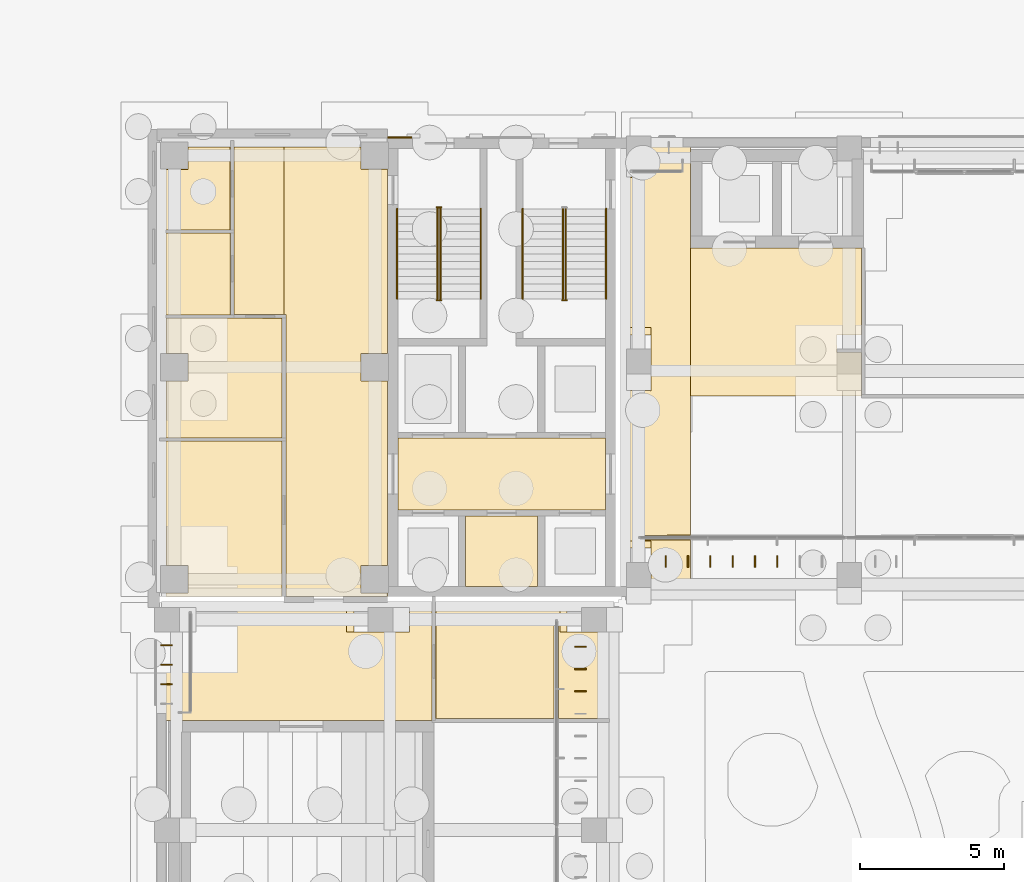
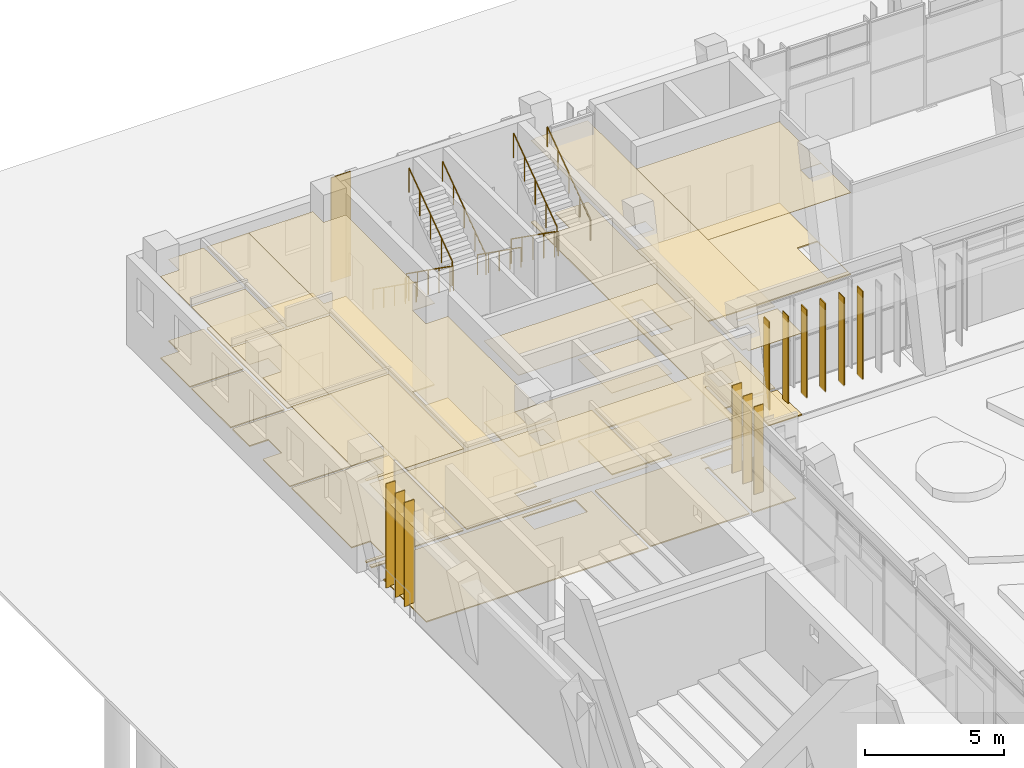
# One storey, part 131 of 144: 25 coverings, 12 shading devices, 11 railings.
"""IFC4 building model written with IfcOpenShell, lengths in metres."""

from ifc_helpers import new_model, si_unit, direction, frame, frame_2d, origin, origin_2d, place, context, subcontext, project, spatial, polyline, rectangle, circle, outline, extrude, material, layer, layer_set, type_object, element, save


model = new_model("IFC4")

# Units and contexts
model_context = context("Model", 3, precision=1e-05, world=origin(), true_north=direction((0.0, 1.0)))
body_context = subcontext(model_context, "Body", "Model", "MODEL_VIEW")
ifc_project = project(units=[si_unit("LENGTHUNIT", "METRE"), si_unit("AREAUNIT", "SQUARE_METRE"), si_unit("VOLUMEUNIT", "CUBIC_METRE"), si_unit("PLANEANGLEUNIT", "RADIAN"), si_unit("MASSUNIT", "GRAM", prefix="KILO")], contexts=[model_context])

# Site, building, storey
site_placement = place(None, origin())
site = spatial("IfcSite", under=ifc_project, at=site_placement, CompositionType="ELEMENT")
building_placement = place(site_placement, origin())
building = spatial("IfcBuilding", under=site, at=building_placement, Name="Lantern Court Media Centre", CompositionType="ELEMENT")
storey_placement = place(building_placement, origin())
storey = spatial("IfcBuildingStorey", under=building, at=storey_placement, Name="L00", CompositionType="ELEMENT", Elevation=0.0)

# Coverings
ifc_material_1 = material(Name="Carpet")
ifc_layer_1 = layer(ifc_material_1, 0.050048828125)
ifc_layer_set_1 = layer_set([ifc_layer_1], Name="Carpet")
covering_type_1 = type_object("IfcCoveringType", Name="Carpet floor finish", PredefinedType="FLOORING", material=ifc_layer_set_1)
covering_1_placement = place(storey_placement, origin())
element("IfcCovering", 1, at=covering_1_placement, inside=storey, type_object=covering_type_1, Name="Cinema Concessions floor finish", PredefinedType="FLOORING", context=body_context, shape_type="SweptSolid", body=[
    extrude(outline(polyline([(23.699951171875, 91.867431640625), (21.929931640625, 91.867431640625), (21.925048828125, 95.10498046875), (21.77001953125, 95.10009765625), (21.77001953125, 91.867431640625), (17.66748046875, 91.867431640625), (17.66748046875, 95.89990234375), (23.699951171875, 95.89990234375), (23.699951171875, 95.72998046875), (21.969970703125, 95.72509765625), (21.97265625, 94.87060546875), (23.699951171875, 94.8701171875), (23.699951171875, 91.867431640625)])), origin(), (0.0, 0.0, 1.0), 0.050048828125),
])
covering_2_placement = place(storey_placement, origin())
element("IfcCovering", 2, at=covering_2_placement, inside=storey, type_object=covering_type_1, Name="Production Reception floor finish", PredefinedType="FLOORING", context=body_context, shape_type="SweptSolid", body=[
    extrude(outline(polyline([(8.300048828125, 105.764892578125), (12.33251953125, 105.75244140625), (12.33251953125, 101.60791015625), (8.300048828125, 101.60791015625), (8.300048828125, 103.570068359375), (9.080078125, 103.574951171875), (9.078857421875, 104.528076171875), (8.300048828125, 104.530029296875), (8.300048828125, 105.764892578125)])), origin(), (0.0, 0.0, 1.0), 0.050048828125),
])
covering_3_placement = place(storey_placement, origin())
element("IfcCovering", 3, at=covering_3_placement, inside=storey, type_object=covering_type_1, Name="Media Training Room 04 floor finish", PredefinedType="FLOORING", context=body_context, shape_type="SweptSolid", body=[
    extrude(outline(polyline([(8.300048828125, 101.498046875), (12.33251953125, 101.498046875), (12.33251953125, 96.10009765625), (8.300048828125, 96.10009765625), (8.300048828125, 96.219970703125), (9.080078125, 96.22509765625), (9.078857421875, 97.17822265625), (8.300048828125, 97.179931640625), (8.300048828125, 101.498046875)])), origin(), (0.0, 0.0, 1.0), 0.050048828125),
])
covering_4_placement = place(storey_placement, origin())
element("IfcCovering", 4, at=covering_4_placement, inside=storey, type_object=covering_type_1, Name="WC Male floor finish", PredefinedType="FLOORING", context=body_context, shape_type="SweptSolid", body=[
    extrude(outline(polyline([(10.532470703125, 111.699951171875), (10.532470703125, 108.81494140625), (8.300048828125, 108.81494140625), (8.300048828125, 110.919921875), (9.07861328125, 110.92138671875), (9.080078125, 111.699951171875), (10.532470703125, 111.699951171875)])), origin(), (0.0, 0.0, 1.0), 0.050048828125),
])
covering_5_placement = place(storey_placement, origin())
element("IfcCovering", 5, at=covering_5_placement, inside=storey, type_object=covering_type_1, Name="WC Female floor finish", PredefinedType="FLOORING", context=body_context, shape_type="SweptSolid", body=[
    extrude(outline(polyline([(8.300048828125, 108.705078125), (10.532470703125, 108.705078125), (10.532470703125, 105.875), (8.300048828125, 105.875), (8.300048828125, 108.705078125)])), origin(), (0.0, 0.0, 1.0), 0.050048828125),
])
ifc_material_2 = material(Name="Ceramic tile")
ifc_layer_2 = layer(ifc_material_2, 0.050048828125)
ifc_layer_set_2 = layer_set([ifc_layer_2], Name="Ceramic tile")
covering_type_2 = type_object("IfcCoveringType", Name="Ceramic tile floor finish", PredefinedType="FLOORING", material=ifc_layer_set_2)
covering_6_placement = place(storey_placement, origin())
element("IfcCovering", 6, at=covering_6_placement, inside=storey, type_object=covering_type_2, Name="Accessible WC floor finish", PredefinedType="FLOORING", context=body_context, shape_type="SweptSolid", body=[
    extrude(outline(polyline([(18.705078125, 98.89501953125), (21.195068359375, 98.89501953125), (21.195068359375, 96.455078125), (18.705078125, 96.455078125), (18.705078125, 98.89501953125)])), origin(), (0.0, 0.0, 1.0), 0.050048828125),
])
ifc_material_3 = material(Name="Honed limestone cladding", Category="masonry")
ifc_layer_3 = layer(ifc_material_3, 0.050048828125)
ifc_layer_set_3 = layer_set([ifc_layer_3], Name="Honed limestone cladding")
covering_type_3 = type_object("IfcCoveringType", Name="Limestone cladding panel 50", PredefinedType="CLADDING", material=ifc_layer_set_3)
covering_7_placement = place(storey_placement, frame((16.0, 112.02490234375, 0.0), z_axis=(0.0, 0.0, 1.0), x_axis=(1.0, 0.0, 0.0)))
element("IfcCovering", 7, at=covering_7_placement, inside=storey, type_object=covering_type_3, Name="Limestone cladding NW stair core", PredefinedType="CLADDING", context=body_context, shape_type="SweptSolid", body=[
    extrude(rectangle(XDim=0.824951171875, YDim=0.050048828125, at=frame_2d((0.41259765625, 0.0))), origin(), (0.0, 0.0, 1.0), 4.580078125),
])

# Railings
ifc_material_4 = material(Name="Powder-coated steel", Category="steel")
railing_type_1 = type_object("IfcRailingType", Name="Stair guard 1100", PredefinedType="GUARDRAIL", material=ifc_material_4)
railing_1_placement = place(storey_placement, frame((17.72412109375, 109.550048828125, 0.1845703125)))
element("IfcRailing", 8, at=railing_1_placement, inside=storey, type_object=railing_type_1, Name="L00 ST-NWA stair guard 1", PredefinedType="GUARDRAIL", context=body_context, shape_type="SweptSolid", body=[
    extrude(circle(Radius=0.02392578125, at=origin_2d()), frame((0.0, 0.0, 1.076171875), z_axis=(0.0, -0.815376961211, 0.578930402662), x_axis=(1.0, 0.0, 0.0)), (0.0, 0.0, 1.0), 3.82666015625),
    extrude(circle(Radius=0.02099609375, at=origin_2d()), origin(), (0.0, 0.0, 1.0), 1.052001953125),
    extrude(circle(Radius=0.02099609375, at=origin_2d()), frame((0.0, -0.780029296875, 0.5537109375)), (0.0, 0.0, 1.0), 1.052001953125),
    extrude(circle(Radius=0.02099609375, at=origin_2d()), frame((0.0, -1.56005859375, 1.107666015625)), (0.0, 0.0, 1.0), 1.052001953125),
    extrude(circle(Radius=0.02099609375, at=origin_2d()), frame((0.0, -2.340087890625, 1.66162109375)), (0.0, 0.0, 1.0), 1.052001953125),
    extrude(circle(Radius=0.02099609375, at=origin_2d()), frame((0.0, -3.1201171875, 2.21533203125)), (0.0, 0.0, 1.0), 1.052001953125),
])
railing_2_placement = place(storey_placement, frame((17.699951171875, 106.3798828125, 2.39990234375)))
element("IfcRailing", 9, at=railing_2_placement, inside=storey, type_object=railing_type_1, Name="L00 ST-NWA stair guard 2", PredefinedType="GUARDRAIL", context=body_context, shape_type="SweptSolid", body=[
    extrude(circle(Radius=0.02392578125, at=origin_2d()), frame((0.0, 0.0, 1.076171875), z_axis=(1.0, 0.0, 0.0), x_axis=(0.0, 1.0, 0.0)), (0.0, 0.0, 1.0), 0.150146484375),
    extrude(circle(Radius=0.02099609375, at=origin_2d()), origin(), (0.0, 0.0, 1.0), 1.052001953125),
    extrude(circle(Radius=0.02099609375, at=origin_2d()), frame((0.150146484375, 0.0, 0.0)), (0.0, 0.0, 1.0), 1.052001953125),
])
railing_3_placement = place(storey_placement, frame((17.825927734375, 106.429931640625, 2.584716796875)))
element("IfcRailing", 10, at=railing_3_placement, inside=storey, type_object=railing_type_1, Name="L00 ST-NWA stair guard 3", PredefinedType="GUARDRAIL", context=body_context, shape_type="SweptSolid", body=[
    extrude(circle(Radius=0.02392578125, at=origin_2d()), frame((0.0, 0.0, 1.076171875), z_axis=(0.0, 0.815376961211, 0.578930402662), x_axis=(-1.0, 0.0, 0.0)), (0.0, 0.0, 1.0), 3.82666015625),
    extrude(circle(Radius=0.02099609375, at=origin_2d()), origin(), (0.0, 0.0, 1.0), 1.052001953125),
    extrude(circle(Radius=0.02099609375, at=origin_2d()), frame((0.0, 0.780029296875, 0.5537109375)), (0.0, 0.0, 1.0), 1.052001953125),
    extrude(circle(Radius=0.02099609375, at=origin_2d()), frame((0.0, 1.56005859375, 1.107666015625)), (0.0, 0.0, 1.0), 1.052001953125),
    extrude(circle(Radius=0.02099609375, at=origin_2d()), frame((0.0, 2.340087890625, 1.66162109375)), (0.0, 0.0, 1.0), 1.052001953125),
    extrude(circle(Radius=0.02099609375, at=origin_2d()), frame((0.0, 3.1201171875, 2.21533203125)), (0.0, 0.0, 1.0), 1.052001953125),
])
railing_4_placement = place(storey_placement, frame((17.699951171875, 109.60009765625, 0.0)))
element("IfcRailing", 11, at=railing_4_placement, inside=storey, type_object=railing_type_1, Name="L00 ST-NWA stair guard 4", PredefinedType="GUARDRAIL", context=body_context, shape_type="SweptSolid", body=[
    extrude(circle(Radius=0.02392578125, at=origin_2d()), frame((0.0, 0.0, 1.076171875), z_axis=(1.0, 0.0, 0.0), x_axis=(0.0, 1.0, 0.0)), (0.0, 0.0, 1.0), 0.150146484375),
    extrude(circle(Radius=0.02099609375, at=origin_2d()), origin(), (0.0, 0.0, 1.0), 1.052001953125),
    extrude(circle(Radius=0.02099609375, at=origin_2d()), frame((0.150146484375, 0.0, 0.0)), (0.0, 0.0, 1.0), 1.052001953125),
])
railing_5_placement = place(storey_placement, frame((22.073974609375, 109.550048828125, 0.1845703125)))
element("IfcRailing", 12, at=railing_5_placement, inside=storey, type_object=railing_type_1, Name="L00 ST-NWB stair guard 1", PredefinedType="GUARDRAIL", context=body_context, shape_type="SweptSolid", body=[
    extrude(circle(Radius=0.02392578125, at=origin_2d()), frame((0.0, 0.0, 1.076171875), z_axis=(0.0, -0.815376961211, 0.578930402662), x_axis=(1.0, 0.0, 0.0)), (0.0, 0.0, 1.0), 3.82666015625),
    extrude(circle(Radius=0.02099609375, at=origin_2d()), origin(), (0.0, 0.0, 1.0), 1.052001953125),
    extrude(circle(Radius=0.02099609375, at=origin_2d()), frame((0.0, -0.780029296875, 0.5537109375)), (0.0, 0.0, 1.0), 1.052001953125),
    extrude(circle(Radius=0.02099609375, at=origin_2d()), frame((0.0, -1.56005859375, 1.107666015625)), (0.0, 0.0, 1.0), 1.052001953125),
    extrude(circle(Radius=0.02099609375, at=origin_2d()), frame((0.0, -2.340087890625, 1.66162109375)), (0.0, 0.0, 1.0), 1.052001953125),
    extrude(circle(Radius=0.02099609375, at=origin_2d()), frame((0.0, -3.1201171875, 2.21533203125)), (0.0, 0.0, 1.0), 1.052001953125),
])
railing_6_placement = place(storey_placement, frame((22.050048828125, 106.3798828125, 2.39990234375)))
element("IfcRailing", 13, at=railing_6_placement, inside=storey, type_object=railing_type_1, Name="L00 ST-NWB stair guard 2", PredefinedType="GUARDRAIL", context=body_context, shape_type="SweptSolid", body=[
    extrude(circle(Radius=0.02392578125, at=origin_2d()), frame((0.0, 0.0, 1.076171875), z_axis=(1.0, 0.0, 0.0), x_axis=(0.0, 1.0, 0.0)), (0.0, 0.0, 1.0), 0.14990234375),
    extrude(circle(Radius=0.02099609375, at=origin_2d()), origin(), (0.0, 0.0, 1.0), 1.052001953125),
    extrude(circle(Radius=0.02099609375, at=origin_2d()), frame((0.14990234375, 0.0, 0.0)), (0.0, 0.0, 1.0), 1.052001953125),
])
railing_7_placement = place(storey_placement, frame((22.176025390625, 106.429931640625, 2.584716796875)))
element("IfcRailing", 14, at=railing_7_placement, inside=storey, type_object=railing_type_1, Name="L00 ST-NWB stair guard 3", PredefinedType="GUARDRAIL", context=body_context, shape_type="SweptSolid", body=[
    extrude(circle(Radius=0.02392578125, at=origin_2d()), frame((0.0, 0.0, 1.076171875), z_axis=(0.0, 0.815376961211, 0.578930402662), x_axis=(-1.0, 0.0, 0.0)), (0.0, 0.0, 1.0), 3.82666015625),
    extrude(circle(Radius=0.02099609375, at=origin_2d()), origin(), (0.0, 0.0, 1.0), 1.052001953125),
    extrude(circle(Radius=0.02099609375, at=origin_2d()), frame((0.0, 0.780029296875, 0.5537109375)), (0.0, 0.0, 1.0), 1.052001953125),
    extrude(circle(Radius=0.02099609375, at=origin_2d()), frame((0.0, 1.56005859375, 1.107666015625)), (0.0, 0.0, 1.0), 1.052001953125),
    extrude(circle(Radius=0.02099609375, at=origin_2d()), frame((0.0, 2.340087890625, 1.66162109375)), (0.0, 0.0, 1.0), 1.052001953125),
    extrude(circle(Radius=0.02099609375, at=origin_2d()), frame((0.0, 3.1201171875, 2.21533203125)), (0.0, 0.0, 1.0), 1.052001953125),
])
railing_type_2 = type_object("IfcRailingType", Name="Stair handrail 900", PredefinedType="HANDRAIL", material=ifc_material_4)
railing_8_placement = place(storey_placement, frame((16.325927734375, 109.550048828125, 0.1845703125)))
element("IfcRailing", 15, at=railing_8_placement, inside=storey, type_object=railing_type_2, Name="L00 ST-NWA stair handrail 1", PredefinedType="HANDRAIL", context=body_context, shape_type="SweptSolid", body=[
    extrude(circle(Radius=0.02392578125, at=origin_2d()), frame((0.0, 0.0, 0.8759765625), z_axis=(0.0, -0.815376961211, 0.578930402662), x_axis=(1.0, 0.0, 0.0)), (0.0, 0.0, 1.0), 3.82666015625),
    extrude(circle(Radius=0.02099609375, at=origin_2d()), origin(), (0.0, 0.0, 1.0), 0.851806640625),
    extrude(circle(Radius=0.02099609375, at=origin_2d()), frame((0.0, -0.780029296875, 0.5537109375)), (0.0, 0.0, 1.0), 0.851806640625),
    extrude(circle(Radius=0.02099609375, at=origin_2d()), frame((0.0, -1.56005859375, 1.107666015625)), (0.0, 0.0, 1.0), 0.851806640625),
    extrude(circle(Radius=0.02099609375, at=origin_2d()), frame((0.0, -2.340087890625, 1.66162109375)), (0.0, 0.0, 1.0), 0.851806640625),
    extrude(circle(Radius=0.02099609375, at=origin_2d()), frame((0.0, -3.1201171875, 2.21533203125)), (0.0, 0.0, 1.0), 0.851806640625),
])
railing_9_placement = place(storey_placement, frame((19.22412109375, 106.429931640625, 2.584716796875)))
element("IfcRailing", 16, at=railing_9_placement, inside=storey, type_object=railing_type_2, Name="L00 ST-NWA stair handrail 2", PredefinedType="HANDRAIL", context=body_context, shape_type="SweptSolid", body=[
    extrude(circle(Radius=0.02392578125, at=origin_2d()), frame((0.0, 0.0, 0.8759765625), z_axis=(0.0, 0.815376961211, 0.578930402662), x_axis=(-1.0, 0.0, 0.0)), (0.0, 0.0, 1.0), 3.82666015625),
    extrude(circle(Radius=0.02099609375, at=origin_2d()), origin(), (0.0, 0.0, 1.0), 0.851806640625),
    extrude(circle(Radius=0.02099609375, at=origin_2d()), frame((0.0, 0.780029296875, 0.5537109375)), (0.0, 0.0, 1.0), 0.851806640625),
    extrude(circle(Radius=0.02099609375, at=origin_2d()), frame((0.0, 1.56005859375, 1.107666015625)), (0.0, 0.0, 1.0), 0.851806640625),
    extrude(circle(Radius=0.02099609375, at=origin_2d()), frame((0.0, 2.340087890625, 1.66162109375)), (0.0, 0.0, 1.0), 0.851806640625),
    extrude(circle(Radius=0.02099609375, at=origin_2d()), frame((0.0, 3.1201171875, 2.21533203125)), (0.0, 0.0, 1.0), 0.851806640625),
])
railing_10_placement = place(storey_placement, frame((20.676025390625, 109.550048828125, 0.1845703125)))
element("IfcRailing", 17, at=railing_10_placement, inside=storey, type_object=railing_type_2, Name="L00 ST-NWB stair handrail 1", PredefinedType="HANDRAIL", context=body_context, shape_type="SweptSolid", body=[
    extrude(circle(Radius=0.02392578125, at=origin_2d()), frame((0.0, 0.0, 0.8759765625), z_axis=(0.0, -0.815376961211, 0.578930402662), x_axis=(1.0, 0.0, 0.0)), (0.0, 0.0, 1.0), 3.82666015625),
    extrude(circle(Radius=0.02099609375, at=origin_2d()), origin(), (0.0, 0.0, 1.0), 0.851806640625),
    extrude(circle(Radius=0.02099609375, at=origin_2d()), frame((0.0, -0.780029296875, 0.5537109375)), (0.0, 0.0, 1.0), 0.851806640625),
    extrude(circle(Radius=0.02099609375, at=origin_2d()), frame((0.0, -1.56005859375, 1.107666015625)), (0.0, 0.0, 1.0), 0.851806640625),
    extrude(circle(Radius=0.02099609375, at=origin_2d()), frame((0.0, -2.340087890625, 1.66162109375)), (0.0, 0.0, 1.0), 0.851806640625),
    extrude(circle(Radius=0.02099609375, at=origin_2d()), frame((0.0, -3.1201171875, 2.21533203125)), (0.0, 0.0, 1.0), 0.851806640625),
])
railing_11_placement = place(storey_placement, frame((23.573974609375, 106.429931640625, 2.584716796875)))
element("IfcRailing", 18, at=railing_11_placement, inside=storey, type_object=railing_type_2, Name="L00 ST-NWB stair handrail 2", PredefinedType="HANDRAIL", context=body_context, shape_type="SweptSolid", body=[
    extrude(circle(Radius=0.02392578125, at=origin_2d()), frame((0.0, 0.0, 0.8759765625), z_axis=(0.0, 0.815376961211, 0.578930402662), x_axis=(-1.0, 0.0, 0.0)), (0.0, 0.0, 1.0), 3.82666015625),
    extrude(circle(Radius=0.02099609375, at=origin_2d()), origin(), (0.0, 0.0, 1.0), 0.851806640625),
    extrude(circle(Radius=0.02099609375, at=origin_2d()), frame((0.0, 0.780029296875, 0.5537109375)), (0.0, 0.0, 1.0), 0.851806640625),
    extrude(circle(Radius=0.02099609375, at=origin_2d()), frame((0.0, 1.56005859375, 1.107666015625)), (0.0, 0.0, 1.0), 0.851806640625),
    extrude(circle(Radius=0.02099609375, at=origin_2d()), frame((0.0, 2.340087890625, 1.66162109375)), (0.0, 0.0, 1.0), 0.851806640625),
    extrude(circle(Radius=0.02099609375, at=origin_2d()), frame((0.0, 3.1201171875, 2.21533203125)), (0.0, 0.0, 1.0), 0.851806640625),
])

# Coverings
ifc_material_5 = material(Name="Mineral fibre ceiling tile")
ifc_layer_4 = layer(ifc_material_5, 0.02001953125)
ifc_layer_set_4 = layer_set([ifc_layer_4], Name="Mineral fibre ceiling tile")
covering_type_4 = type_object("IfcCoveringType", Name="Suspended ceiling tile", PredefinedType="CEILING", material=ifc_layer_set_4)
covering_8_placement = place(storey_placement, frame((0.0, 0.0, 3.60009765625)))
element("IfcCovering", 19, at=covering_8_placement, inside=storey, type_object=covering_type_4, Name="End Lobby ceiling", PredefinedType="CEILING", context=body_context, shape_type="SweptSolid", body=[
    extrude(outline(polyline([(26.5, 96.300048828125), (24.275390625, 96.300048828125), (24.275390625, 96.450439453125), (24.10009765625, 96.450439453125), (24.10009765625, 111.6494140625), (24.275146484375, 111.6494140625), (24.275390625, 111.699951171875), (26.5, 111.699462890625), (26.5, 98.2255859375), (24.8994140625, 98.22509765625), (24.89990234375, 98.074462890625), (26.5, 98.074462890625), (26.5, 96.300048828125)]), holes=[polyline([(25.125, 97.174560546875), (25.125244140625, 97.777587890625), (24.274658203125, 97.77734375), (24.274658203125, 97.174560546875), (25.125, 97.174560546875)]), polyline([(25.125, 104.574462890625), (25.125244140625, 105.177490234375), (24.274658203125, 105.177490234375), (24.274658203125, 104.574462890625), (25.125, 104.574462890625)])]), origin(), (0.0, 0.0, 1.0), 0.02001953125),
])
covering_9_placement = place(storey_placement, frame((0.0, 0.0, 3.60009765625)))
element("IfcCovering", 20, at=covering_9_placement, inside=storey, type_object=covering_type_4, Name="Lift Lobby ceiling", PredefinedType="CEILING", context=body_context, shape_type="SweptSolid", body=[
    extrude(outline(polyline([(32.5, 108.195556640625), (32.43701171875, 108.195068359375), (32.43701171875, 103.050048828125), (26.5, 103.050048828125), (26.5, 108.199462890625), (32.5, 108.195556640625)]), holes=[polyline([(32.425048828125, 104.574462890625), (32.42529296875, 105.177490234375), (31.574462890625, 105.177490234375), (31.57470703125, 104.574462890625), (32.425048828125, 104.574462890625)])]), origin(), (0.0, 0.0, 1.0), 0.02001953125),
])
covering_10_placement = place(storey_placement, frame((0.0, 0.0, 3.60009765625)))
element("IfcCovering", 21, at=covering_10_placement, inside=storey, type_object=covering_type_4, Name="Cinema Concessions ceiling", PredefinedType="CEILING", context=body_context, shape_type="SweptSolid", body=[
    extrude(outline(polyline([(23.699951171875, 95.89990234375), (23.699951171875, 91.863037109375), (21.929931640625, 91.863037109375), (21.925537109375, 91.800048828125), (21.925048828125, 95.1005859375), (21.7744140625, 95.10009765625), (21.7744140625, 91.800048828125), (21.77001953125, 91.863037109375), (17.6630859375, 91.863037109375), (17.6630859375, 95.89990234375), (23.699951171875, 95.89990234375)]), holes=[polyline([(22.825439453125, 95.72509765625), (22.222412109375, 95.725341796875), (22.22265625, 94.87451171875), (22.825439453125, 94.874755859375), (22.825439453125, 95.72509765625)])]), origin(), (0.0, 0.0, 1.0), 0.02001953125),
])
covering_11_placement = place(storey_placement, frame((0.0, 0.0, 3.60009765625)))
element("IfcCovering", 22, at=covering_11_placement, inside=storey, type_object=covering_type_4, Name="End Lobby ceiling", PredefinedType="CEILING", context=body_context, shape_type="SweptSolid", body=[
    extrude(outline(polyline([(17.537109375, 95.89990234375), (17.537109375, 91.800537109375), (8.300537109375, 91.800048828125), (8.300048828125, 95.89990234375), (17.537109375, 95.89990234375)]), holes=[polyline([(15.425537109375, 95.72509765625), (14.822509765625, 95.725341796875), (14.822509765625, 94.87451171875), (15.425537109375, 94.874755859375), (15.425537109375, 95.72509765625)])]), origin(), (0.0, 0.0, 1.0), 0.02001953125),
])
covering_12_placement = place(storey_placement, frame((0.0, 0.0, 3.60009765625)))
element("IfcCovering", 23, at=covering_12_placement, inside=storey, type_object=covering_type_4, Name="Lift Lobby ceiling", PredefinedType="CEILING", context=body_context, shape_type="SweptSolid", body=[
    extrude(outline(polyline([(16.3505859375, 101.599609375), (23.549560546875, 101.599609375), (23.549560546875, 99.1005859375), (16.3505859375, 99.1005859375), (16.3505859375, 101.599609375)])), origin(), (0.0, 0.0, 1.0), 0.02001953125),
])
covering_13_placement = place(storey_placement, frame((0.0, 0.0, 3.60009765625)))
element("IfcCovering", 24, at=covering_13_placement, inside=storey, type_object=covering_type_4, Name="Accessible WC ceiling", PredefinedType="CEILING", context=body_context, shape_type="SweptSolid", body=[
    extrude(outline(polyline([(18.700439453125, 98.8994140625), (21.199462890625, 98.8994140625), (21.199462890625, 96.450439453125), (18.700439453125, 96.450439453125), (18.700439453125, 98.8994140625)])), origin(), (0.0, 0.0, 1.0), 0.02001953125),
])
covering_14_placement = place(storey_placement, frame((0.0, 0.0, 3.60009765625)))
element("IfcCovering", 25, at=covering_14_placement, inside=storey, type_object=covering_type_4, Name="Corridor ceiling", PredefinedType="CEILING", context=body_context, shape_type="SweptSolid", body=[
    extrude(outline(polyline([(12.39990234375, 111.699951171875), (15.074462890625, 111.699951171875), (15.07470703125, 110.924560546875), (15.99951171875, 110.924560546875), (15.99951171875, 104.525390625), (15.074462890625, 104.52490234375), (15.07470703125, 103.57470703125), (15.99951171875, 103.574462890625), (15.99951171875, 97.175537109375), (15.07470703125, 97.17529296875), (15.074462890625, 96.224853515625), (15.99951171875, 96.224609375), (15.99951171875, 96.1005859375), (12.462890625, 96.1005859375), (12.462890625, 105.882568359375), (12.39990234375, 105.883056640625), (12.39990234375, 111.699951171875)])), origin(), (0.0, 0.0, 1.0), 0.02001953125),
])
covering_15_placement = place(storey_placement, frame((0.0, 0.0, 3.60009765625)))
element("IfcCovering", 26, at=covering_15_placement, inside=storey, type_object=covering_type_4, Name="Production Reception ceiling", PredefinedType="CEILING", context=body_context, shape_type="SweptSolid", body=[
    extrude(outline(polyline([(8.300048828125, 105.76953125), (12.3369140625, 105.757080078125), (12.3369140625, 101.603515625), (8.300048828125, 101.603515625), (8.300048828125, 103.574462890625), (9.075439453125, 103.574951171875), (9.075439453125, 104.525390625), (8.300048828125, 104.525390625), (8.300048828125, 105.76953125)])), origin(), (0.0, 0.0, 1.0), 0.02001953125),
])
covering_16_placement = place(storey_placement, frame((0.0, 0.0, 3.60009765625)))
element("IfcCovering", 27, at=covering_16_placement, inside=storey, type_object=covering_type_4, Name="Media Training Room 04 ceiling", PredefinedType="CEILING", context=body_context, shape_type="SweptSolid", body=[
    extrude(outline(polyline([(8.300048828125, 101.50244140625), (12.3369140625, 101.50244140625), (12.3369140625, 96.10009765625), (8.300048828125, 96.10009765625), (8.300048828125, 96.224609375), (9.075439453125, 96.22509765625), (9.075439453125, 97.17529296875), (8.300048828125, 97.175537109375), (8.300048828125, 101.50244140625)])), origin(), (0.0, 0.0, 1.0), 0.02001953125),
])
covering_17_placement = place(storey_placement, frame((0.0, 0.0, 3.60009765625)))
element("IfcCovering", 28, at=covering_17_placement, inside=storey, type_object=covering_type_4, Name="WC Lobby ceiling", PredefinedType="CEILING", context=body_context, shape_type="SweptSolid", body=[
    extrude(outline(polyline([(12.39990234375, 111.699951171875), (12.39990234375, 105.883056640625), (10.6630859375, 105.883056640625), (10.6630859375, 111.699951171875), (12.39990234375, 111.699951171875)])), origin(), (0.0, 0.0, 1.0), 0.02001953125),
])
covering_18_placement = place(storey_placement, frame((0.0, 0.0, 3.60009765625)))
element("IfcCovering", 29, at=covering_18_placement, inside=storey, type_object=covering_type_4, Name="WC Male ceiling", PredefinedType="CEILING", context=body_context, shape_type="SweptSolid", body=[
    extrude(outline(polyline([(10.537109375, 111.699951171875), (10.537109375, 108.810546875), (8.300048828125, 108.810546875), (8.300048828125, 110.924560546875), (9.075439453125, 110.924560546875), (9.075439453125, 111.699951171875), (10.537109375, 111.699951171875)])), origin(), (0.0, 0.0, 1.0), 0.02001953125),
])
covering_19_placement = place(storey_placement, frame((0.0, 0.0, 3.60009765625)))
element("IfcCovering", 30, at=covering_19_placement, inside=storey, type_object=covering_type_4, Name="WC Female ceiling", PredefinedType="CEILING", context=body_context, shape_type="SweptSolid", body=[
    extrude(outline(polyline([(8.300048828125, 108.70947265625), (10.537109375, 108.70947265625), (10.537109375, 105.87060546875), (8.300048828125, 105.87060546875), (8.300048828125, 108.70947265625)])), origin(), (0.0, 0.0, 1.0), 0.02001953125),
])
ifc_material_6 = material(Name="Terrazzo")
ifc_layer_5 = layer(ifc_material_6, 0.050048828125)
ifc_layer_set_5 = layer_set([ifc_layer_5], Name="Terrazzo")
covering_type_5 = type_object("IfcCoveringType", Name="Terrazzo floor finish", PredefinedType="FLOORING", material=ifc_layer_set_5)
covering_20_placement = place(storey_placement, origin())
element("IfcCovering", 31, at=covering_20_placement, inside=storey, type_object=covering_type_5, Name="End Lobby floor finish", PredefinedType="FLOORING", context=body_context, shape_type="SweptSolid", body=[
    extrude(outline(polyline([(26.5, 96.300048828125), (25.1298828125, 96.300048828125), (25.12548828125, 98.030029296875), (24.270751953125, 98.02783203125), (24.27001953125, 96.455078125), (24.10009765625, 96.455078125), (24.10009765625, 111.64501953125), (24.27001953125, 111.64501953125), (24.271484375, 110.63818359375), (25.125, 110.63671875), (25.1298828125, 111.699951171875), (26.5, 111.695068359375), (26.5, 98.22998046875), (24.89501953125, 98.22509765625), (24.8994140625, 98.070068359375), (26.5, 98.070068359375), (26.5, 96.300048828125)]), holes=[polyline([(24.27001953125, 103.24169921875), (25.129638671875, 103.23974609375), (25.126953125, 105.4296875), (24.270263671875, 105.427001953125), (24.27001953125, 103.24169921875)])]), origin(), (0.0, 0.0, 1.0), 0.050048828125),
])
covering_21_placement = place(storey_placement, origin())
element("IfcCovering", 32, at=covering_21_placement, inside=storey, type_object=covering_type_5, Name="Lift Lobby floor finish", PredefinedType="FLOORING", context=body_context, shape_type="SweptSolid", body=[
    extrude(outline(polyline([(26.5, 103.050048828125), (26.5, 108.195068359375), (32.4326171875, 108.195068359375), (32.4326171875, 103.050048828125), (26.5, 103.050048828125)]), holes=[polyline([(31.570068359375, 103.24169921875), (32.4296875, 103.23974609375), (32.427001953125, 105.4296875), (31.5703125, 105.427001953125), (31.570068359375, 103.24169921875)])]), origin(), (0.0, 0.0, 1.0), 0.050048828125),
])
covering_22_placement = place(storey_placement, origin())
element("IfcCovering", 33, at=covering_22_placement, inside=storey, type_object=covering_type_5, Name="End Lobby floor finish", PredefinedType="FLOORING", context=body_context, shape_type="SweptSolid", body=[
    extrude(outline(polyline([(17.532470703125, 95.89990234375), (17.532470703125, 91.804931640625), (8.304931640625, 91.800048828125), (8.300048828125, 94.8701171875), (9.361572265625, 94.87109375), (9.36328125, 95.72509765625), (8.300048828125, 95.72998046875), (8.300048828125, 95.89990234375), (17.532470703125, 95.89990234375)]), holes=[polyline([(14.570068359375, 94.875), (16.76025390625, 94.870361328125), (16.762939453125, 95.726806640625), (14.572998046875, 95.729736328125), (14.570068359375, 94.875)])]), origin(), (0.0, 0.0, 1.0), 0.050048828125),
])
covering_23_placement = place(storey_placement, origin())
element("IfcCovering", 34, at=covering_23_placement, inside=storey, type_object=covering_type_5, Name="Lift Lobby floor finish", PredefinedType="FLOORING", context=body_context, shape_type="SweptSolid", body=[
    extrude(outline(polyline([(16.35498046875, 101.594970703125), (23.544921875, 101.594970703125), (23.544921875, 99.10498046875), (16.35498046875, 99.10498046875), (16.35498046875, 101.594970703125)])), origin(), (0.0, 0.0, 1.0), 0.050048828125),
])
covering_24_placement = place(storey_placement, origin())
element("IfcCovering", 35, at=covering_24_placement, inside=storey, type_object=covering_type_5, Name="Corridor floor finish", PredefinedType="FLOORING", context=body_context, shape_type="SweptSolid", body=[
    extrude(outline(polyline([(12.39990234375, 111.699951171875), (15.070068359375, 111.699951171875), (15.07177734375, 110.921142578125), (15.9951171875, 110.919921875), (15.9951171875, 104.530029296875), (15.070068359375, 104.52490234375), (15.071533203125, 103.571533203125), (15.9951171875, 103.570068359375), (15.9951171875, 97.179931640625), (15.071533203125, 97.178466796875), (15.070068359375, 96.224609375), (15.9951171875, 96.219970703125), (15.9951171875, 96.10498046875), (12.467529296875, 96.10498046875), (12.467529296875, 105.882568359375), (12.39990234375, 105.887451171875), (12.39990234375, 111.699951171875)])), origin(), (0.0, 0.0, 1.0), 0.050048828125),
])
covering_25_placement = place(storey_placement, origin())
element("IfcCovering", 36, at=covering_25_placement, inside=storey, type_object=covering_type_5, Name="WC Lobby floor finish", PredefinedType="FLOORING", context=body_context, shape_type="SweptSolid", body=[
    extrude(outline(polyline([(12.39990234375, 111.699951171875), (12.39990234375, 105.887451171875), (10.66748046875, 105.887451171875), (10.66748046875, 111.699951171875), (12.39990234375, 111.699951171875)])), origin(), (0.0, 0.0, 1.0), 0.050048828125),
])

# Shading devices
ifc_material_7 = material(Name="Bronze anodised aluminium louvre", Category="aluminium")
ifc_layer_6 = layer(ifc_material_7, 0.0400390625)
ifc_layer_set_6 = layer_set([ifc_layer_6], Name="Bronze anodised aluminium louvre")
shading_device_type_1 = type_object("IfcShadingDeviceType", Name="Vertical louvre 40x400 full storey", PredefinedType="USERDEFINED", material=ifc_layer_set_6)
for number, where, z_axis, x_axis, name in (
    (37, (8.320068359375, 93.0625, 0.0), (0.0, 0.0, 1.0), (1.0, 0.0, 0.0), "Vertical louvre W outer L00"),
    (38, (8.320068359375, 93.737548828125, 0.0), (0.0, 0.0, 1.0), (1.0, 0.0, 0.0), "Vertical louvre W outer L00"),
    (39, (8.320068359375, 94.41259765625, 0.0), (0.0, 0.0, 1.0), (1.0, 0.0, 0.0), "Vertical louvre W outer L00"),
):
    element("IfcShadingDevice", number, at=place(storey_placement, frame(where, z_axis=z_axis, x_axis=x_axis)), inside=storey, type_object=shading_device_type_1, Name=name, ObjectType="VERTICAL LOUVRE", PredefinedType="USERDEFINED", context=body_context, shape_type="SweptSolid", body=[
        extrude(rectangle(XDim=0.39990234375, YDim=0.0400390625, at=origin_2d()), origin(), (0.0, 0.0, 1.0), 4.580078125),
    ])
ifc_layer_7 = layer(ifc_material_7, 0.0400390625)
ifc_layer_set_7 = layer_set([ifc_layer_7], Name="Bronze anodised aluminium louvre")
shading_device_type_2 = type_object("IfcShadingDeviceType", Name="Vertical louvre 40x400 under beam", PredefinedType="USERDEFINED", material=ifc_layer_set_7)
for number, where, z_axis, x_axis, name in (
    (40, (25.637451171875, 97.320068359375, 0.0), (0.0, 0.0, 1.0), (1.0, 0.0, 0.0), "Vertical louvre N inner L00"),
    (41, (26.41259765625, 97.320068359375, 0.0), (0.0, 0.0, 1.0), (1.0, 0.0, 0.0), "Vertical louvre N inner L00"),
    (42, (27.1875, 97.320068359375, 0.0), (0.0, 0.0, 1.0), (1.0, 0.0, 0.0), "Vertical louvre N inner L00"),
    (43, (27.96240234375, 97.320068359375, 0.0), (0.0, 0.0, 1.0), (1.0, 0.0, 0.0), "Vertical louvre N inner L00"),
    (44, (28.737548828125, 97.320068359375, 0.0), (0.0, 0.0, 1.0), (1.0, 0.0, 0.0), "Vertical louvre N inner L00"),
    (45, (29.512451171875, 97.320068359375, 0.0), (0.0, 0.0, 1.0), (1.0, 0.0, 0.0), "Vertical louvre N inner L00"),
):
    element("IfcShadingDevice", number, at=place(storey_placement, frame(where, z_axis=z_axis, x_axis=x_axis)), inside=storey, type_object=shading_device_type_2, Name=name, ObjectType="VERTICAL LOUVRE", PredefinedType="USERDEFINED", context=body_context, shape_type="SweptSolid", body=[
        extrude(rectangle(XDim=0.0400390625, YDim=0.39990234375, at=origin_2d()), origin(), (0.0, 0.0, 1.0), 3.89990234375),
    ])
for number, where, z_axis, x_axis, name in (
    (46, (22.679931640625, 92.8125, 0.0), (0.0, 0.0, 1.0), (1.0, 0.0, 0.0), "Vertical louvre W inner L00"),
    (47, (22.679931640625, 93.58740234375, 0.0), (0.0, 0.0, 1.0), (1.0, 0.0, 0.0), "Vertical louvre W inner L00"),
    (48, (22.679931640625, 94.362548828125, 0.0), (0.0, 0.0, 1.0), (1.0, 0.0, 0.0), "Vertical louvre W inner L00"),
):
    element("IfcShadingDevice", number, at=place(storey_placement, frame(where, z_axis=z_axis, x_axis=x_axis)), inside=storey, type_object=shading_device_type_2, Name=name, ObjectType="VERTICAL LOUVRE", PredefinedType="USERDEFINED", context=body_context, shape_type="SweptSolid", body=[
        extrude(rectangle(XDim=0.39990234375, YDim=0.0400390625, at=origin_2d()), origin(), (0.0, 0.0, 1.0), 3.89990234375),
    ])

save(model, "model.ifc")
